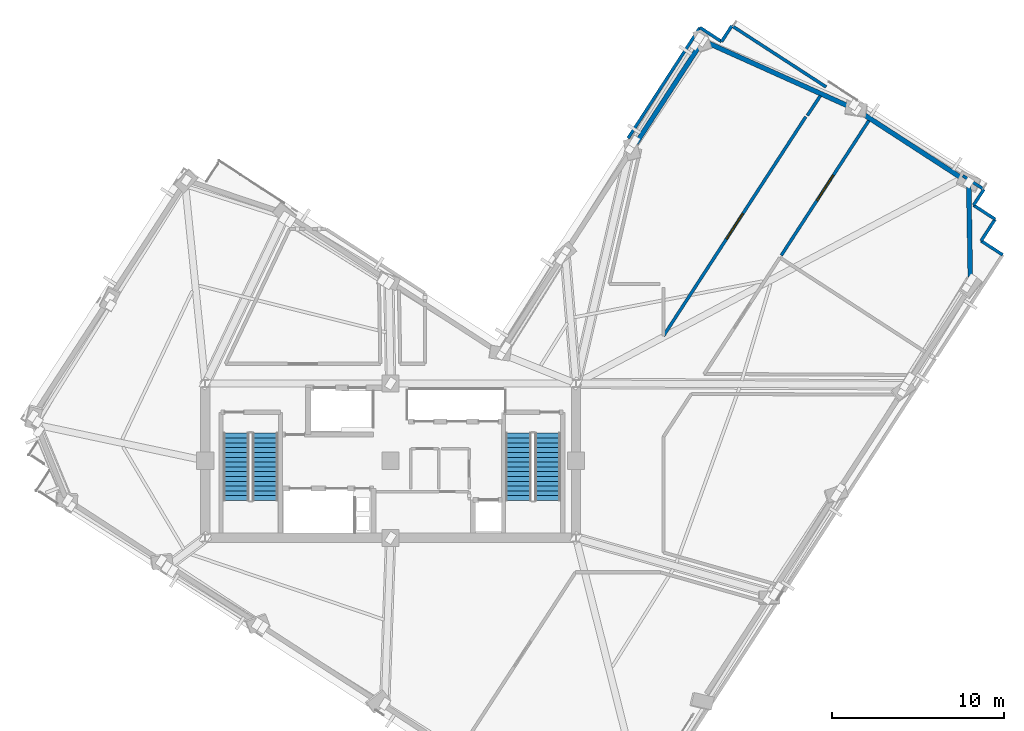
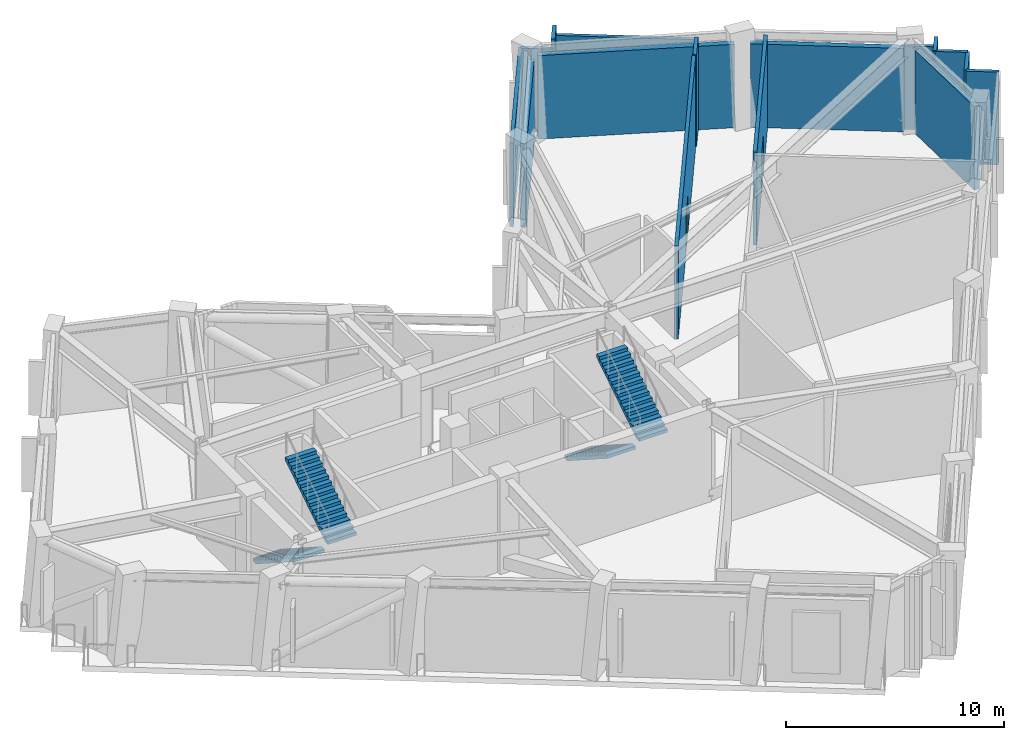
# One storey, part 6 of 11: 16 walls, 4 stair flights, 2 doors, 2 openings, 2 elements without a shape of their own.
"""IFC4 building model written with IfcOpenShell, lengths in metres."""

from ifc_helpers import new_model, si_unit, direction, frame, frame_2d, origin, place, context, subcontext, project, spatial, polyline, rectangle, outline, extrude, material, layer, layer_set, type_object, element, fill, aggregate, save


model = new_model("IFC4")

# Units and contexts
model_context = context("Model", 3, precision=1e-05, world=origin(), true_north=direction((0.0, 1.0)))
body_context = subcontext(model_context, "Body", "Model", "MODEL_VIEW")
ifc_project = project(units=[si_unit("LENGTHUNIT", "METRE"), si_unit("AREAUNIT", "SQUARE_METRE"), si_unit("VOLUMEUNIT", "CUBIC_METRE"), si_unit("PLANEANGLEUNIT", "RADIAN"), si_unit("MASSUNIT", "GRAM", prefix="KILO")], contexts=[model_context])

# Site, building, storey
site_placement = place(None, origin())
site = spatial("IfcSite", under=ifc_project, at=site_placement, CompositionType="ELEMENT")
building_placement = place(site_placement, origin())
building = spatial("IfcBuilding", under=site, at=building_placement, Name="Gaonmaruhae Medical Tower", CompositionType="ELEMENT")
storey_placement = place(building_placement, frame((0.0, 0.0, 267.199951171875)))
storey = spatial("IfcBuildingStorey", under=building, at=storey_placement, Name="L64", CompositionType="ELEMENT", Elevation=267.199951171875)

# Walls
ifc_material_1 = material(Name="Precast concrete C45/55", Category="concrete")
ifc_layer_1 = layer(ifc_material_1, 0.280029296875)
ifc_layer_set_1 = layer_set([ifc_layer_1], Name="Precast concrete C45/55")
wall_type_1 = type_object("IfcWallType", Name="EW-280 Upper Precast Masonry-Frame Facade Wall", PredefinedType="SOLIDWALL", material=ifc_layer_set_1)
wall_1_placement = place(storey_placement, frame((58.480224609375, 28.307373046875, 0.0), z_axis=(0.0, 0.0, 1.0), x_axis=(0.016602111672, -0.999862175446, 0.0)))
element("IfcWall", 1, at=wall_1_placement, inside=storey, type_object=wall_type_1, Name="L64 Precast Masonry-Frame Wall S06-E01", PredefinedType="SOLIDWALL", context=body_context, shape_type="SweptSolid", body=[
    extrude(rectangle(XDim=5.2939453125, YDim=0.280029296875, at=frame_2d((2.64697265625, 0.0))), origin(), (0.0, 0.0, 1.0), 4.6650390625),
])
wall_2_placement = place(storey_placement, frame((52.143798828125, 32.6103515625, 0.0), z_axis=(0.0, 0.0, 1.0), x_axis=(0.838679433615, -0.544625382838, 0.0)))
element("IfcWall", 2, at=wall_2_placement, inside=storey, type_object=wall_type_1, Name="L64 Precast Masonry-Frame Wall E01-E02", PredefinedType="SOLIDWALL", context=body_context, shape_type="SweptSolid", body=[
    extrude(rectangle(XDim=7.04638671875, YDim=0.280029296875, at=frame_2d((3.523193359375, 0.0))), origin(), (0.0, 0.0, 1.0), 4.6650390625),
])
wall_3_placement = place(storey_placement, frame((43.233154296875, 36.658203125, 0.0), z_axis=(0.0, 0.0, 1.0), x_axis=(0.912064009316, -0.410047854416, 0.0)))
element("IfcWall", 3, at=wall_3_placement, inside=storey, type_object=wall_type_1, Name="L64 Precast Masonry-Frame Wall E02-E03", PredefinedType="SOLIDWALL", context=body_context, shape_type="SweptSolid", body=[
    extrude(rectangle(XDim=9.036376953125, YDim=0.280029296875, at=frame_2d((4.51806640625, 0.0))), origin(), (0.0, 0.0, 1.0), 4.6650390625),
])
wall_4_placement = place(storey_placement, frame((39.091064453125, 30.77685546875, 0.0), z_axis=(0.0, 0.0, 1.0), x_axis=(0.544646561343, 0.838665680243, 0.0)))
element("IfcWall", 4, at=wall_4_placement, inside=storey, type_object=wall_type_1, Name="L64 Precast Masonry-Frame Wall E03-EN01", PredefinedType="SOLIDWALL", context=body_context, shape_type="SweptSolid", body=[
    extrude(rectangle(XDim=6.77978515625, YDim=0.280029296875, at=frame_2d((3.389892578125, 0.0))), origin(), (0.0, 0.0, 1.0), 4.6650390625),
])

# Wall, opening, door
ifc_material_2 = material(Name="Gypsum board partition", Category="gypsum")
ifc_layer_2 = layer(ifc_material_2, 0.179931640625)
ifc_layer_set_2 = layer_set([ifc_layer_2], Name="Gypsum board partition")
wall_type_2 = type_object("IfcWallType", Name="PW-180 Refuge & Plant Acoustic Fire Partition", PredefinedType="PARTITIONING", material=ifc_layer_set_2)
wall_5_placement = place(storey_placement, frame((47.55810546875, 24.260986328125, 0.0), z_axis=(0.0, 0.0, 1.0), x_axis=(0.544659146489, 0.838657507059, 0.0)))
wall_5 = element("IfcWall", 5, at=wall_5_placement, inside=storey, type_object=wall_type_2, Name="L64 Interior Partition L64-AHU-35", PredefinedType="PARTITIONING", context=body_context, shape_type="SweptSolid", body=[
    extrude(rectangle(XDim=9.38525390625, YDim=0.179931640625, at=frame_2d((4.692626953125, 0.0))), origin(), (0.0, 0.0, 1.0), 5.179931640625),
])
opening_1_placement = place(wall_5_placement, frame((3.817626953125, 0.0, 0.0)))
opening_1 = element("IfcOpeningElement", 6, at=opening_1_placement, cuts=wall_5, Name="Opening PD-01", PredefinedType="OPENING", context=body_context, shape_type="SweptSolid", body=[
    extrude(rectangle(XDim=1.75, YDim=2.199951171875, at=frame_2d((0.875, 1.10009765625))), frame((0.0, 0.10009765625, 0.0), z_axis=(0.0, -1.0, 0.0), x_axis=(1.0, 0.0, 0.0)), (0.0, 0.0, 1.0), 0.199951171875),
])
ifc_material_3 = material(Name="Acoustic galvanised steel plant door", Category="steel")
door_type = type_object("IfcDoorType", Name="PD-01 Mechanical Plant Double Equipment Door 1750x2200", OperationType="NOTDEFINED", PredefinedType="DOOR", material=ifc_material_3)
door_1_placement = place(opening_1_placement, origin())
door_1 = element("IfcDoor", 7, at=door_1_placement, inside=storey, type_object=door_type, Name="L64 Clinical Air Handling Unit Plant Room Door", OperationType="DOUBLE_DOOR_SINGLE_SWING", OverallHeight=2.199951171875, OverallWidth=1.75, PredefinedType="DOOR", context=body_context, shape_type="SweptSolid", body=[
    extrude(rectangle(XDim=1.75, YDim=2.199951171875, at=frame_2d((0.875, 1.10009765625))), frame((0.0, 0.02490234375, 0.0), z_axis=(0.0, -1.0, 0.0), x_axis=(1.0, 0.0, 0.0)), (0.0, 0.0, 1.0), 0.050048828125),
])
fill(opening_1, door_1)

# Walls
wall_6_placement = place(storey_placement, frame((58.135009765625, 28.89892578125, 0.0), z_axis=(0.0, 0.0, 1.0), x_axis=(0.838646620307, -0.54467590937, 0.0)))
element("IfcWall", 8, at=wall_6_placement, inside=storey, type_object=wall_type_2, Name="L64 Interior Partition L64-AHU-36", PredefinedType="PARTITIONING", context=body_context, shape_type="SweptSolid", body=[
    extrude(rectangle(XDim=1.455810546875, YDim=0.179931640625, at=frame_2d((0.72802734375, 0.0))), origin(), (0.0, 0.0, 1.0), 4.6650390625),
])
wall_7_placement = place(storey_placement, frame((59.35595703125, 28.10595703125, 0.0), z_axis=(0.0, 0.0, 1.0), x_axis=(-0.544364177933, -0.838848998201, 0.0)))
element("IfcWall", 9, at=wall_7_placement, inside=storey, type_object=wall_type_2, Name="L64 Interior Partition L64-AHU-37", PredefinedType="PARTITIONING", context=body_context, shape_type="SweptSolid", body=[
    extrude(rectangle(XDim=1.10009765625, YDim=0.179931640625, at=frame_2d((0.550048828125, 0.0))), origin(), (0.0, 0.0, 1.0), 5.179931640625),
])
for number, where, z_axis, x_axis, name in (
    (10, (58.757080078125, 27.18310546875, 0.0), (0.0, 0.0, 1.0), (0.838577466446, -0.544782371932, 0.0), "L64 Interior Partition L64-AHU-38"),
    (11, (60.014892578125, 26.365966796875, 0.0), (0.0, 0.0, 1.0), (-0.544593548161, -0.8387001057, 0.0), "L64 Interior Partition L64-AHU-39"),
    (12, (59.197998046875, 25.10791015625, 0.0), (0.0, 0.0, 1.0), (0.8387001057, -0.544593548161, 0.0), "L64 Interior Partition L64-AHU-40"),
):
    element("IfcWall", number, at=place(storey_placement, frame(where, z_axis=z_axis, x_axis=x_axis)), inside=storey, type_object=wall_type_2, Name=name, PredefinedType="PARTITIONING", context=body_context, shape_type="SweptSolid", body=[
        extrude(rectangle(XDim=1.5, YDim=0.179931640625, at=frame_2d((0.75, 0.0))), origin(), (0.0, 0.0, 1.0), 5.179931640625),
    ])

# Wall, opening, door
wall_8_placement = place(storey_placement, frame((48.986083984375, 32.3359375, 0.0), z_axis=(0.0, 0.0, 1.0), x_axis=(-0.544624499222, -0.838680007421, 0.0)))
wall_8 = element("IfcWall", 13, at=wall_8_placement, inside=storey, type_object=wall_type_2, Name="L64 Interior Partition L64-PUMP-42", PredefinedType="PARTITIONING", context=body_context, shape_type="SweptSolid", body=[
    extrude(rectangle(XDim=15.21435546875, YDim=0.179931640625, at=frame_2d((7.607177734375, 0.0))), origin(), (0.0, 0.0, 1.0), 5.179931640625),
])
opening_2_placement = place(wall_8_placement, frame((6.732177734375, 0.0, 0.0)))
opening_2 = element("IfcOpeningElement", 14, at=opening_2_placement, cuts=wall_8, Name="Opening PD-01", PredefinedType="OPENING", context=body_context, shape_type="SweptSolid", body=[
    extrude(rectangle(XDim=1.75, YDim=2.199951171875, at=frame_2d((0.875, 1.10009765625))), frame((0.0, 0.10009765625, 0.0), z_axis=(0.0, -1.0, 0.0), x_axis=(1.0, 0.0, 0.0)), (0.0, 0.0, 1.0), 0.199951171875),
])
door_2_placement = place(opening_2_placement, origin())
door_2 = element("IfcDoor", 15, at=door_2_placement, inside=storey, type_object=door_type, Name="L64 Domestic Booster and Fire Pump Tank Room Door", OperationType="DOUBLE_DOOR_SINGLE_SWING", OverallHeight=2.199951171875, OverallWidth=1.75, PredefinedType="DOOR", context=body_context, shape_type="SweptSolid", body=[
    extrude(rectangle(XDim=1.75, YDim=2.199951171875, at=frame_2d((0.875, 1.10009765625))), frame((0.0, 0.02490234375, 0.0), z_axis=(0.0, -1.0, 0.0), x_axis=(1.0, 0.0, 0.0)), (0.0, 0.0, 1.0), 0.050048828125),
])
fill(opening_2, door_2)

# Walls
wall_9_placement = place(storey_placement, frame((38.636962890625, 31.087890625, 0.0), z_axis=(0.0, 0.0, 1.0), x_axis=(0.54471690734, 0.838619991926, 0.0)))
element("IfcWall", 16, at=wall_9_placement, inside=storey, type_object=wall_type_2, Name="L64 Interior Partition L64-PUMP-46", PredefinedType="PARTITIONING", context=body_context, shape_type="SweptSolid", body=[
    extrude(rectangle(XDim=7.68310546875, YDim=0.179931640625, at=frame_2d((3.841552734375, 0.0))), origin(), (0.0, 0.0, 1.0), 4.6650390625),
])
wall_10_placement = place(storey_placement, frame((42.822021484375, 37.531005859375, 0.0), z_axis=(0.0, 0.0, 1.0), x_axis=(0.8387001057, -0.544593548161, 0.0)))
element("IfcWall", 17, at=wall_10_placement, inside=storey, type_object=wall_type_2, Name="L64 Interior Partition L64-PUMP-47", PredefinedType="PARTITIONING", context=body_context, shape_type="SweptSolid", body=[
    extrude(rectangle(XDim=1.5, YDim=0.179931640625, at=frame_2d((0.75, 0.0))), origin(), (0.0, 0.0, 1.0), 4.6650390625),
])
wall_11_placement = place(storey_placement, frame((44.080078125, 36.714111328125, 0.0), z_axis=(0.0, 0.0, 1.0), x_axis=(0.544364177933, 0.838848998201, 0.0)))
element("IfcWall", 18, at=wall_11_placement, inside=storey, type_object=wall_type_2, Name="L64 Interior Partition L64-PUMP-48", PredefinedType="PARTITIONING", context=body_context, shape_type="SweptSolid", body=[
    extrude(rectangle(XDim=1.10009765625, YDim=0.179931640625, at=frame_2d((0.550048828125, 0.0))), origin(), (0.0, 0.0, 1.0), 5.179931640625),
])
wall_12_placement = place(storey_placement, frame((44.678955078125, 37.636962890625, 0.0), z_axis=(0.0, 0.0, 1.0), x_axis=(0.838699015372, -0.544595227315, 0.0)))
element("IfcWall", 19, at=wall_12_placement, inside=storey, type_object=wall_type_2, Name="L64 Interior Partition L64-PUMP-49", PredefinedType="PARTITIONING", context=body_context, shape_type="SweptSolid", body=[
    extrude(rectangle(XDim=6.549560546875, YDim=0.179931640625, at=frame_2d((3.27490234375, 0.0))), origin(), (0.0, 0.0, 1.0), 4.6650390625),
])
wall_13_placement = place(storey_placement, frame((49.8369140625, 33.56298828125, 0.0), z_axis=(0.0, 0.0, 1.0), x_axis=(-0.551312159781, -0.834299048589, 0.0)))
element("IfcWall", 20, at=wall_13_placement, inside=storey, type_object=wall_type_2, Name="L64 Interior Partition L64-PUMP-50", PredefinedType="PARTITIONING", context=body_context, shape_type="SweptSolid", body=[
    extrude(rectangle(XDim=1.382080078125, YDim=0.179931640625, at=frame_2d((0.69091796875, 0.0))), origin(), (0.0, 0.0, 1.0), 5.179931640625),
])

# Stair, stair flights
ifc_material_4 = material(Name="Concrete C40/50", Category="concrete")
stair_type = type_object("IfcStairType", Name="ST-T1 Primary Core Escape Dogleg Stair", PredefinedType="TWO_QUARTER_TURN_STAIR", material=ifc_material_4)
stair_1_placement = place(storey_placement, origin())
stair_1 = element("IfcStair", 21, at=stair_1_placement, inside=storey, type_object=stair_type, Name="L64 Protected Escape Stair ST-01", PredefinedType="TWO_QUARTER_TURN_STAIR")
stair_flight_type = type_object("IfcStairFlightType", Name="SF-T1 Primary Core Precast Stair Flight", PredefinedType="STRAIGHT", material=ifc_material_4)
stair_flight_1_placement = place(storey_placement, frame((15.800048828125, 13.89990234375, 0.0), z_axis=(0.0, 0.0, 1.0), x_axis=(0.0, -1.0, 0.0)))
stair_flight_1 = element("IfcStairFlight", 22, at=stair_flight_1_placement, type_object=stair_flight_type, Name="ST-01 flight 1", NumberOfRisers=15, NumberOfTreads=14, PredefinedType="STRAIGHT", RiserHeight=0.18, TreadLength=0.28, context=body_context, shape_type="SweptSolid", body=[
    extrude(outline(polyline([(0.0, 0.0), (0.0, 0.179931640625), (0.280029296875, 0.179931640625), (0.280029296875, 0.360107421875), (0.56005859375, 0.360107421875), (0.56005859375, 0.5400390625), (0.840087890625, 0.5400390625), (0.840087890625, 0.719970703125), (1.1201171875, 0.719970703125), (1.1201171875, 0.89990234375), (1.39990234375, 0.89990234375), (1.39990234375, 1.080078125), (1.679931640625, 1.080078125), (1.679931640625, 1.260009765625), (1.9599609375, 1.260009765625), (1.9599609375, 1.43994140625), (2.239990234375, 1.43994140625), (2.239990234375, 1.6201171875), (2.52001953125, 1.6201171875), (2.52001953125, 1.800048828125), (2.800048828125, 1.800048828125), (2.800048828125, 1.97998046875), (3.080078125, 1.97998046875), (3.080078125, 2.159912109375), (3.360107421875, 2.159912109375), (3.360107421875, 2.340087890625), (3.639892578125, 2.340087890625), (3.639892578125, 2.52001953125), (3.919921875, 2.52001953125), (3.919921875, 2.699951171875), (3.919921875, 2.341796875), (0.277099609375, 0.0), (0.0, 0.0)])), frame((0.0, 0.75, 0.0), z_axis=(0.0, -1.0, 0.0), x_axis=(1.0, 0.0, 0.0)), (0.0, 0.0, 1.0), 1.5),
])
stair_flight_2_placement = place(storey_placement, frame((17.5, 9.97998046875, 2.699951171875), z_axis=(0.0, 0.0, 1.0), x_axis=(0.0, 1.0, 0.0)))
stair_flight_2 = element("IfcStairFlight", 23, at=stair_flight_2_placement, type_object=stair_flight_type, Name="ST-01 flight 2", NumberOfRisers=15, NumberOfTreads=14, PredefinedType="STRAIGHT", RiserHeight=0.18, TreadLength=0.28, context=body_context, shape_type="SweptSolid", body=[
    extrude(outline(polyline([(0.0, 0.0), (0.0, 0.179931640625), (0.280029296875, 0.179931640625), (0.280029296875, 0.360107421875), (0.56005859375, 0.360107421875), (0.56005859375, 0.5400390625), (0.840087890625, 0.5400390625), (0.840087890625, 0.719970703125), (1.1201171875, 0.719970703125), (1.1201171875, 0.89990234375), (1.39990234375, 0.89990234375), (1.39990234375, 1.080078125), (1.679931640625, 1.080078125), (1.679931640625, 1.260009765625), (1.9599609375, 1.260009765625), (1.9599609375, 1.43994140625), (2.239990234375, 1.43994140625), (2.239990234375, 1.6201171875), (2.52001953125, 1.6201171875), (2.52001953125, 1.800048828125), (2.800048828125, 1.800048828125), (2.800048828125, 1.97998046875), (3.080078125, 1.97998046875), (3.080078125, 2.159912109375), (3.360107421875, 2.159912109375), (3.360107421875, 2.340087890625), (3.639892578125, 2.340087890625), (3.639892578125, 2.52001953125), (3.919921875, 2.52001953125), (3.919921875, 2.699951171875), (3.919921875, 2.341796875), (0.277099609375, 0.0), (0.0, 0.0)])), frame((0.0, 0.75, 0.0), z_axis=(0.0, -1.0, 0.0), x_axis=(1.0, 0.0, 0.0)), (0.0, 0.0, 1.0), 1.5),
])
aggregate(stair_1, [stair_flight_1, stair_flight_2])

stair_2_placement = place(storey_placement, origin())
stair_2 = element("IfcStair", 24, at=stair_2_placement, inside=storey, type_object=stair_type, Name="L64 Protected Escape Stair ST-02", PredefinedType="TWO_QUARTER_TURN_STAIR")
stair_flight_3_placement = place(storey_placement, frame((32.25, 13.89990234375, 0.0), z_axis=(0.0, 0.0, 1.0), x_axis=(0.0, -1.0, 0.0)))
stair_flight_3 = element("IfcStairFlight", 25, at=stair_flight_3_placement, type_object=stair_flight_type, Name="ST-02 flight 1", NumberOfRisers=15, NumberOfTreads=14, PredefinedType="STRAIGHT", RiserHeight=0.18, TreadLength=0.28, context=body_context, shape_type="SweptSolid", body=[
    extrude(outline(polyline([(0.0, 0.0), (0.0, 0.179931640625), (0.280029296875, 0.179931640625), (0.280029296875, 0.360107421875), (0.56005859375, 0.360107421875), (0.56005859375, 0.5400390625), (0.840087890625, 0.5400390625), (0.840087890625, 0.719970703125), (1.1201171875, 0.719970703125), (1.1201171875, 0.89990234375), (1.39990234375, 0.89990234375), (1.39990234375, 1.080078125), (1.679931640625, 1.080078125), (1.679931640625, 1.260009765625), (1.9599609375, 1.260009765625), (1.9599609375, 1.43994140625), (2.239990234375, 1.43994140625), (2.239990234375, 1.6201171875), (2.52001953125, 1.6201171875), (2.52001953125, 1.800048828125), (2.800048828125, 1.800048828125), (2.800048828125, 1.97998046875), (3.080078125, 1.97998046875), (3.080078125, 2.159912109375), (3.360107421875, 2.159912109375), (3.360107421875, 2.340087890625), (3.639892578125, 2.340087890625), (3.639892578125, 2.52001953125), (3.919921875, 2.52001953125), (3.919921875, 2.699951171875), (3.919921875, 2.341796875), (0.277099609375, 0.0), (0.0, 0.0)])), frame((0.0, 0.75, 0.0), z_axis=(0.0, -1.0, 0.0), x_axis=(1.0, 0.0, 0.0)), (0.0, 0.0, 1.0), 1.5),
])
stair_flight_4_placement = place(storey_placement, frame((33.949951171875, 9.97998046875, 2.699951171875), z_axis=(0.0, 0.0, 1.0), x_axis=(0.0, 1.0, 0.0)))
stair_flight_4 = element("IfcStairFlight", 26, at=stair_flight_4_placement, type_object=stair_flight_type, Name="ST-02 flight 2", NumberOfRisers=15, NumberOfTreads=14, PredefinedType="STRAIGHT", RiserHeight=0.18, TreadLength=0.28, context=body_context, shape_type="SweptSolid", body=[
    extrude(outline(polyline([(0.0, 0.0), (0.0, 0.179931640625), (0.280029296875, 0.179931640625), (0.280029296875, 0.360107421875), (0.56005859375, 0.360107421875), (0.56005859375, 0.5400390625), (0.840087890625, 0.5400390625), (0.840087890625, 0.719970703125), (1.1201171875, 0.719970703125), (1.1201171875, 0.89990234375), (1.39990234375, 0.89990234375), (1.39990234375, 1.080078125), (1.679931640625, 1.080078125), (1.679931640625, 1.260009765625), (1.9599609375, 1.260009765625), (1.9599609375, 1.43994140625), (2.239990234375, 1.43994140625), (2.239990234375, 1.6201171875), (2.52001953125, 1.6201171875), (2.52001953125, 1.800048828125), (2.800048828125, 1.800048828125), (2.800048828125, 1.97998046875), (3.080078125, 1.97998046875), (3.080078125, 2.159912109375), (3.360107421875, 2.159912109375), (3.360107421875, 2.340087890625), (3.639892578125, 2.340087890625), (3.639892578125, 2.52001953125), (3.919921875, 2.52001953125), (3.919921875, 2.699951171875), (3.919921875, 2.341796875), (0.277099609375, 0.0), (0.0, 0.0)])), frame((0.0, 0.75, 0.0), z_axis=(0.0, -1.0, 0.0), x_axis=(1.0, 0.0, 0.0)), (0.0, 0.0, 1.0), 1.5),
])
aggregate(stair_2, [stair_flight_3, stair_flight_4])

save(model, "model.ifc")
